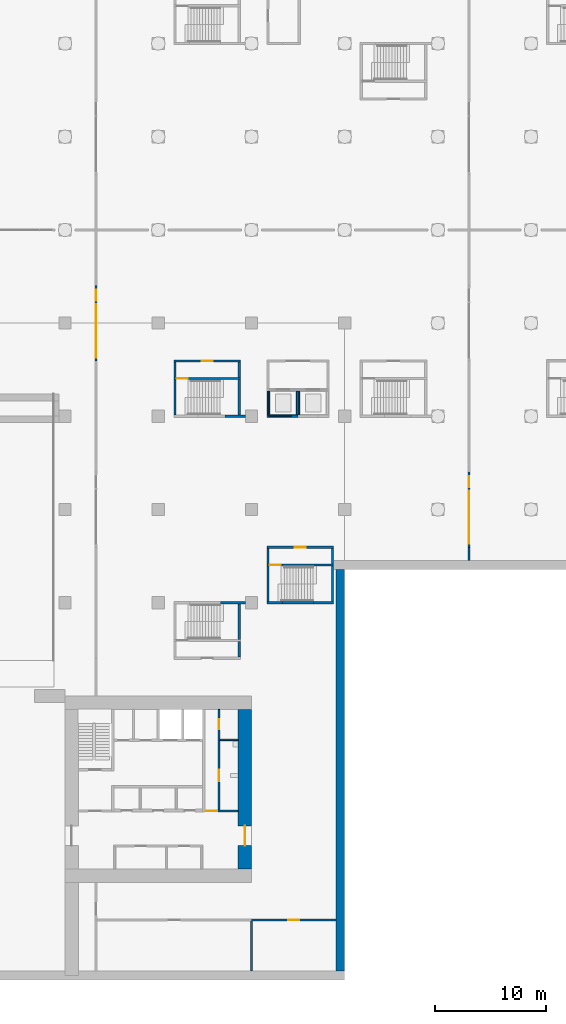
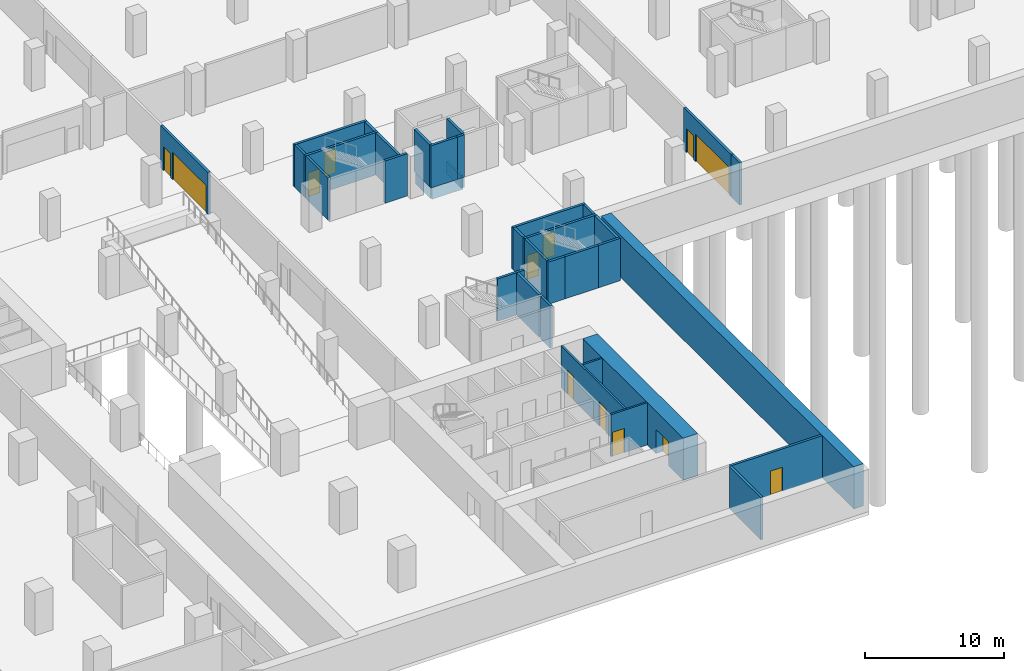
# One storey, part 7 of 19: 37 walls, 13 doors, 13 openings.
"""IFC4 building model written with IfcOpenShell, lengths in metres."""

from ifc_helpers import new_model, si_unit, direction, frame, frame_2d, origin, place, context, subcontext, project, spatial, rectangle, extrude, material, layer, layer_set, type_object, element, fill, save


model = new_model("IFC4")

# Units and contexts
model_context = context("Model", 3, precision=1e-05, world=origin(), true_north=direction((0.0, 1.0)))
body_context = subcontext(model_context, "Body", "Model", "MODEL_VIEW")
ifc_project = project(units=[si_unit("LENGTHUNIT", "METRE"), si_unit("AREAUNIT", "SQUARE_METRE"), si_unit("VOLUMEUNIT", "CUBIC_METRE"), si_unit("PLANEANGLEUNIT", "RADIAN"), si_unit("MASSUNIT", "GRAM", prefix="KILO")], contexts=[model_context])

# Site, building, storey
site_placement = place(None, origin())
site = spatial("IfcSite", under=ifc_project, at=site_placement, CompositionType="ELEMENT")
building_placement = place(site_placement, origin())
building = spatial("IfcBuilding", under=site, at=building_placement, Name="Vermilion Gate Residences", CompositionType="ELEMENT")
storey_placement = place(building_placement, frame((0.0, 0.0, -8.0)))
storey = spatial("IfcBuildingStorey", under=building, at=storey_placement, Name="B2", CompositionType="ELEMENT", Elevation=-8.0)

# Wall, opening, door
ifc_material_1 = material(Name="Masonry blockwork", Category="masonry")
ifc_layer_1 = layer(ifc_material_1, 0.14990234375)
ifc_layer_set_1 = layer_set([ifc_layer_1], Name="BLOCKWORK PARTITION 150 EI 120")
wall_type_1 = type_object("IfcWallType", Name="BLOCKWORK PARTITION 150 EI 120", PredefinedType="PARTITIONING", material=ifc_layer_set_1)
wall_1_placement = place(storey_placement, frame((54.60009765625, 14.824951171875, 0.0), z_axis=(0.0, 0.0, 1.0), x_axis=(1.0, 0.0, 0.0)))
wall_1 = element("IfcWall", 1, at=wall_1_placement, inside=storey, type_object=wall_type_1, Name="Core room partition AB2-ES-S", PredefinedType="PARTITIONING", context=body_context, shape_type="SweptSolid", body=[
    extrude(rectangle(XDim=3.0, YDim=0.14990234375, at=frame_2d((1.5, 0.0))), origin(), (0.0, 0.0, 1.0), 3.699951171875),
])
opening_1_placement = place(wall_1_placement, frame((0.10009765625, 0.0, 0.0)))
opening_1 = element("IfcOpeningElement", 2, at=opening_1_placement, cuts=wall_1, Name="Opening DKB2014", PredefinedType="OPENING", context=body_context, shape_type="SweptSolid", body=[
    extrude(rectangle(XDim=1.0, YDim=2.10009765625, at=frame_2d((0.5, 1.050048828125))), frame((0.0, 0.0849609375, 0.0), z_axis=(0.0, -1.0, 0.0), x_axis=(1.0, 0.0, 0.0)), (0.0, 0.0, 1.0), 0.169921875),
])
ifc_material_2 = material(Name="Steel", Category="steel")
door_type_1 = type_object("IfcDoorType", Name="FIRE DOOR FD60 1000 X 2100", OperationType="SINGLE_SWING_LEFT", PredefinedType="DOOR", material=ifc_material_2)
door_1_placement = place(opening_1_placement, frame((1.0, 0.0, 0.0), z_axis=(0.0, 0.0, 1.0), x_axis=(-1.0, 0.0, 0.0)))
door_1 = element("IfcDoor", 3, at=door_1_placement, inside=storey, type_object=door_type_1, Name="Service corridor door AB2", OperationType="SINGLE_SWING_LEFT", OverallHeight=2.10009765625, OverallWidth=1.0, PredefinedType="DOOR", context=body_context, shape_type="SweptSolid", body=[
    extrude(rectangle(XDim=1.0, YDim=2.10009765625, at=frame_2d((0.5, 1.050048828125))), frame((0.0, 0.02490234375, 0.0), z_axis=(0.0, -1.0, 0.0), x_axis=(1.0, 0.0, 0.0)), (0.0, 0.0, 1.0), 0.050048828125),
])
fill(opening_1, door_1)

# Wall
wall_2_placement = place(storey_placement, frame((55.949951171875, 21.239990234375, 0.0), z_axis=(0.0, 0.0, 1.0), x_axis=(1.0, 0.0, 0.0)))
element("IfcWall", 4, at=wall_2_placement, inside=storey, type_object=wall_type_1, Name="Core room partition AB2-ES-P0", PredefinedType="PARTITIONING", context=body_context, shape_type="SweptSolid", body=[
    extrude(rectangle(XDim=1.650146484375, YDim=0.14990234375, at=frame_2d((0.8251953125, 0.0))), origin(), (0.0, 0.0, 1.0), 3.699951171875),
])

# Wall, openings, doors
wall_3_placement = place(storey_placement, frame((55.875, 14.89990234375, 0.0), z_axis=(0.0, 0.0, 1.0), x_axis=(0.0, 1.0, 0.0)))
wall_3 = element("IfcWall", 5, at=wall_3_placement, inside=storey, type_object=wall_type_1, Name="Core room partition AB2-ES-W", PredefinedType="PARTITIONING", context=body_context, shape_type="SweptSolid", body=[
    extrude(rectangle(XDim=9.10009765625, YDim=0.14990234375, at=frame_2d((4.550048828125, 0.0))), origin(), (0.0, 0.0, 1.0), 3.699951171875),
])
opening_2_placement = place(wall_3_placement, frame((2.632568359375, 0.0, 0.0)))
opening_2 = element("IfcOpeningElement", 6, at=opening_2_placement, cuts=wall_3, Name="Opening DKB2015", PredefinedType="OPENING", context=body_context, shape_type="SweptSolid", body=[
    extrude(rectangle(XDim=1.0, YDim=2.10009765625, at=frame_2d((0.5, 1.050048828125))), frame((0.0, 0.0849609375, 0.0), z_axis=(0.0, -1.0, 0.0), x_axis=(1.0, 0.0, 0.0)), (0.0, 0.0, 1.0), 0.169921875),
])
opening_3_placement = place(wall_3_placement, frame((7.3076171875, 0.0, 0.0)))
opening_3 = element("IfcOpeningElement", 7, at=opening_3_placement, cuts=wall_3, Name="Opening DKB2016", PredefinedType="OPENING", context=body_context, shape_type="SweptSolid", body=[
    extrude(rectangle(XDim=0.89990234375, YDim=2.10009765625, at=frame_2d((0.449951171875, 1.050048828125))), frame((0.0, 0.0849609375, 0.0), z_axis=(0.0, -1.0, 0.0), x_axis=(1.0, 0.0, 0.0)), (0.0, 0.0, 1.0), 0.169921875),
])
door_2_placement = place(opening_2_placement, frame((1.0, 0.0, 0.0), z_axis=(0.0, 0.0, 1.0), x_axis=(-1.0, 0.0, 0.0)))
door_2 = element("IfcDoor", 8, at=door_2_placement, inside=storey, type_object=door_type_1, Name="Accessible WC AB2", OperationType="SINGLE_SWING_RIGHT", OverallHeight=2.10009765625, OverallWidth=1.0, PredefinedType="DOOR", context=body_context, shape_type="SweptSolid", body=[
    extrude(rectangle(XDim=1.0, YDim=2.10009765625, at=frame_2d((0.5, 1.050048828125))), frame((0.0, 0.02490234375, 0.0), z_axis=(0.0, -1.0, 0.0), x_axis=(1.0, 0.0, 0.0)), (0.0, 0.0, 1.0), 0.050048828125),
])
fill(opening_2, door_2)
ifc_material_3 = material(Name="Steel", Category="steel")
door_type_2 = type_object("IfcDoorType", Name="SERVICE ROOM DOOR FD60 900 X 2100", OperationType="SINGLE_SWING_LEFT", PredefinedType="DOOR", material=ifc_material_3)
door_3_placement = place(opening_3_placement, frame((0.89990234375, 0.0, 0.0), z_axis=(0.0, 0.0, 1.0), x_axis=(-1.0, 0.0, 0.0)))
door_3 = element("IfcDoor", 9, at=door_3_placement, inside=storey, type_object=door_type_2, Name="Communications room AB2", OperationType="SINGLE_SWING_LEFT", OverallHeight=2.10009765625, OverallWidth=0.89990234375, PredefinedType="DOOR", context=body_context, shape_type="SweptSolid", body=[
    extrude(rectangle(XDim=0.89990234375, YDim=2.10009765625, at=frame_2d((0.449951171875, 1.050048828125))), frame((0.0, 0.02490234375, 0.0), z_axis=(0.0, -1.0, 0.0), x_axis=(1.0, 0.0, 0.0)), (0.0, 0.0, 1.0), 0.050048828125),
])
fill(opening_3, door_3)

# Wall
ifc_material_4 = material(Name="Concrete blockwork", Category="masonry")
ifc_layer_2 = layer(ifc_material_4, 0.199951171875)
ifc_layer_set_2 = layer_set([ifc_layer_2], Name="FIRE WALL 200 EI 120 (AMENITY)")
wall_type_2 = type_object("IfcWallType", Name="FIRE WALL 200 EI 120 (AMENITY)", PredefinedType="PARTITIONING", material=ifc_layer_set_2)
wall_4_placement = place(storey_placement, frame((58.800048828125, 0.39990234375, 0.0), z_axis=(0.0, 0.0, 1.0), x_axis=(0.0, 1.0, 0.0)))
element("IfcWall", 10, at=wall_4_placement, inside=storey, type_object=wall_type_2, Name="Fire-resisting wall 93", PredefinedType="PARTITIONING", context=body_context, shape_type="SweptSolid", body=[
    extrude(rectangle(XDim=4.5, YDim=0.199951171875, at=frame_2d((2.25, 0.0))), origin(), (0.0, 0.0, 1.0), 3.699951171875),
])

# Wall, opening, door
wall_5_placement = place(storey_placement, frame((58.800048828125, 5.0, 0.0), z_axis=(0.0, 0.0, 1.0), x_axis=(1.0, 0.0, 0.0)))
wall_5 = element("IfcWall", 11, at=wall_5_placement, inside=storey, type_object=wall_type_2, Name="Fire-resisting wall 94", PredefinedType="PARTITIONING", context=body_context, shape_type="SweptSolid", body=[
    extrude(rectangle(XDim=7.599853515625, YDim=0.199951171875, at=frame_2d((3.7998046875, 0.0))), origin(), (0.0, 0.0, 1.0), 3.699951171875),
])
opening_4_placement = place(wall_5_placement, frame((3.300048828125, 0.0, 0.0)))
opening_4 = element("IfcOpeningElement", 12, at=opening_4_placement, cuts=wall_5, Name="Opening DMB2004", PredefinedType="OPENING", context=body_context, shape_type="SweptSolid", body=[
    extrude(rectangle(XDim=1.0, YDim=2.10009765625, at=frame_2d((0.5, 1.050048828125))), frame((0.0, 0.10986328125, 0.0), z_axis=(0.0, -1.0, 0.0), x_axis=(1.0, 0.0, 0.0)), (0.0, 0.0, 1.0), 0.219970703125),
])
ifc_material_5 = material(Name="Steel", Category="steel")
door_type_3 = type_object("IfcDoorType", Name="DOOR 1000 X 2100 FD60 (AMENITY)", OperationType="SINGLE_SWING_LEFT", PredefinedType="DOOR", material=ifc_material_5)
door_4_placement = place(opening_4_placement, origin())
door_4 = element("IfcDoor", 13, at=door_4_placement, inside=storey, type_object=door_type_3, Name="Door B2 4", OperationType="SINGLE_SWING_LEFT", OverallHeight=2.10009765625, OverallWidth=1.0, PredefinedType="DOOR", context=body_context, shape_type="SweptSolid", body=[
    extrude(rectangle(XDim=1.0, YDim=2.10009765625, at=frame_2d((0.5, 1.050048828125))), frame((0.0, 0.02490234375, 0.0), z_axis=(0.0, -1.0, 0.0), x_axis=(1.0, 0.0, 0.0)), (0.0, 0.0, 1.0), 0.050048828125),
])
fill(opening_4, door_4)

# Wall, openings, doors
ifc_material_6 = material(Name="Concrete blockwork", Category="masonry")
ifc_layer_3 = layer(ifc_material_6, 0.199951171875)
ifc_layer_set_3 = layer_set([ifc_layer_3], Name="GARAGE FIRE WALL 200 EI 120 (AMENITY)")
wall_type_3 = type_object("IfcWallType", Name="GARAGE FIRE WALL 200 EI 120 (AMENITY)", PredefinedType="PARTITIONING", material=ifc_layer_set_3)
wall_6_placement = place(storey_placement, frame((44.800048828125, 55.39990234375, 0.0), z_axis=(0.0, 0.0, 1.0), x_axis=(0.0, 1.0, 0.0)))
wall_6 = element("IfcWall", 14, at=wall_6_placement, inside=storey, type_object=wall_type_3, Name="Fire compartment wall", PredefinedType="PARTITIONING", context=body_context, shape_type="SweptSolid", body=[
    extrude(rectangle(XDim=6.800048828125, YDim=0.199951171875, at=frame_2d((3.39990234375, 0.0))), origin(), (0.0, 0.0, 1.0), 3.699951171875),
])
opening_5_placement = place(wall_6_placement, frame((0.300048828125, 0.0, 0.0)))
opening_5 = element("IfcOpeningElement", 15, at=opening_5_placement, cuts=wall_6, Name="Opening DGB2011", PredefinedType="OPENING", context=body_context, shape_type="SweptSolid", body=[
    extrude(rectangle(XDim=4.800048828125, YDim=2.39990234375, at=frame_2d((2.39990234375, 1.199951171875))), frame((0.0, 0.10986328125, 0.0), z_axis=(0.0, -1.0, 0.0), x_axis=(1.0, 0.0, 0.0)), (0.0, 0.0, 1.0), 0.219970703125),
])
opening_6_placement = place(wall_6_placement, frame((5.39990234375, 0.0, 0.0)))
opening_6 = element("IfcOpeningElement", 16, at=opening_6_placement, cuts=wall_6, Name="Opening DGB2012", PredefinedType="OPENING", context=body_context, shape_type="SweptSolid", body=[
    extrude(rectangle(XDim=1.0, YDim=2.10009765625, at=frame_2d((0.5, 1.050048828125))), frame((0.0, 0.10986328125, 0.0), z_axis=(0.0, -1.0, 0.0), x_axis=(1.0, 0.0, 0.0)), (0.0, 0.0, 1.0), 0.219970703125),
])
ifc_material_7 = material(Name="Steel", Category="steel")
door_type_4 = type_object("IfcDoorType", Name="DOOR 1000 X 2100 FD120 (AMENITY)", OperationType="SINGLE_SWING_LEFT", PredefinedType="DOOR", material=ifc_material_7)
door_5_placement = place(opening_6_placement, frame((1.0, 0.0, 0.0), z_axis=(0.0, 0.0, 1.0), x_axis=(-1.0, 0.0, 0.0)))
door_5 = element("IfcDoor", 17, at=door_5_placement, inside=storey, type_object=door_type_4, Name="Fire door", OperationType="SINGLE_SWING_RIGHT", OverallHeight=2.10009765625, OverallWidth=1.0, PredefinedType="DOOR", context=body_context, shape_type="SweptSolid", body=[
    extrude(rectangle(XDim=1.0, YDim=2.10009765625, at=frame_2d((0.5, 1.050048828125))), frame((0.0, 0.02490234375, 0.0), z_axis=(0.0, -1.0, 0.0), x_axis=(1.0, 0.0, 0.0)), (0.0, 0.0, 1.0), 0.050048828125),
])
fill(opening_6, door_5)
ifc_material_8 = material(Name="Steel", Category="steel")
door_type_5 = type_object("IfcDoorType", Name="FIRE SHUTTER 4800 X 2400 (AMENITY)", OperationType="ROLLINGUP", PredefinedType="GATE", material=ifc_material_8)
door_6_placement = place(opening_5_placement, origin())
door_6 = element("IfcDoor", 18, at=door_6_placement, inside=storey, type_object=door_type_5, Name="Fire shutter", OperationType="ROLLINGUP", OverallHeight=2.39990234375, OverallWidth=4.800048828125, PredefinedType="GATE", context=body_context, shape_type="SweptSolid", body=[
    extrude(rectangle(XDim=4.800048828125, YDim=2.39990234375, at=frame_2d((2.39990234375, 1.199951171875))), frame((0.0, 0.02490234375, 0.0), z_axis=(0.0, -1.0, 0.0), x_axis=(1.0, 0.0, 0.0)), (0.0, 0.0, 1.0), 0.050048828125),
])
fill(opening_5, door_6)

# Wall
wall_7_placement = place(storey_placement, frame((78.39990234375, 37.39990234375, 0.0), z_axis=(0.0, 0.0, 1.0), x_axis=(0.0, 1.0, 0.0)))
element("IfcWall", 19, at=wall_7_placement, inside=storey, type_object=wall_type_3, Name="Fire compartment wall", PredefinedType="PARTITIONING", context=body_context, shape_type="SweptSolid", body=[
    extrude(rectangle(XDim=1.2001953125, YDim=0.199951171875, at=frame_2d((0.60009765625, 0.0))), origin(), (0.0, 0.0, 1.0), 3.699951171875),
])

# Wall, openings, doors
wall_8_placement = place(storey_placement, frame((78.39990234375, 38.60009765625, 0.0), z_axis=(0.0, 0.0, 1.0), x_axis=(0.0, 1.0, 0.0)))
wall_8 = element("IfcWall", 20, at=wall_8_placement, inside=storey, type_object=wall_type_3, Name="Fire compartment wall", PredefinedType="PARTITIONING", context=body_context, shape_type="SweptSolid", body=[
    extrude(rectangle(XDim=6.7998046875, YDim=0.199951171875, at=frame_2d((3.39990234375, 0.0))), origin(), (0.0, 0.0, 1.0), 3.699951171875),
])
opening_7_placement = place(wall_8_placement, frame((0.300048828125, 0.0, 0.0)))
opening_7 = element("IfcOpeningElement", 21, at=opening_7_placement, cuts=wall_8, Name="Opening DGB2017", PredefinedType="OPENING", context=body_context, shape_type="SweptSolid", body=[
    extrude(rectangle(XDim=4.800048828125, YDim=2.39990234375, at=frame_2d((2.39990234375, 1.199951171875))), frame((0.0, 0.10986328125, 0.0), z_axis=(0.0, -1.0, 0.0), x_axis=(1.0, 0.0, 0.0)), (0.0, 0.0, 1.0), 0.219970703125),
])
opening_8_placement = place(wall_8_placement, frame((5.39990234375, 0.0, 0.0)))
opening_8 = element("IfcOpeningElement", 22, at=opening_8_placement, cuts=wall_8, Name="Opening DGB2018", PredefinedType="OPENING", context=body_context, shape_type="SweptSolid", body=[
    extrude(rectangle(XDim=1.0, YDim=2.10009765625, at=frame_2d((0.5, 1.050048828125))), frame((0.0, 0.10986328125, 0.0), z_axis=(0.0, -1.0, 0.0), x_axis=(1.0, 0.0, 0.0)), (0.0, 0.0, 1.0), 0.219970703125),
])
door_7_placement = place(opening_8_placement, frame((1.0, 0.0, 0.0), z_axis=(0.0, 0.0, 1.0), x_axis=(-1.0, 0.0, 0.0)))
door_7 = element("IfcDoor", 23, at=door_7_placement, inside=storey, type_object=door_type_4, Name="Fire door", OperationType="SINGLE_SWING_RIGHT", OverallHeight=2.10009765625, OverallWidth=1.0, PredefinedType="DOOR", context=body_context, shape_type="SweptSolid", body=[
    extrude(rectangle(XDim=1.0, YDim=2.10009765625, at=frame_2d((0.5, 1.050048828125))), frame((0.0, 0.02490234375, 0.0), z_axis=(0.0, -1.0, 0.0), x_axis=(1.0, 0.0, 0.0)), (0.0, 0.0, 1.0), 0.050048828125),
])
fill(opening_8, door_7)
door_8_placement = place(opening_7_placement, origin())
door_8 = element("IfcDoor", 24, at=door_8_placement, inside=storey, type_object=door_type_5, Name="Fire shutter", OperationType="ROLLINGUP", OverallHeight=2.39990234375, OverallWidth=4.800048828125, PredefinedType="GATE", context=body_context, shape_type="SweptSolid", body=[
    extrude(rectangle(XDim=4.800048828125, YDim=2.39990234375, at=frame_2d((2.39990234375, 1.199951171875))), frame((0.0, 0.02490234375, 0.0), z_axis=(0.0, -1.0, 0.0), x_axis=(1.0, 0.0, 0.0)), (0.0, 0.0, 1.0), 0.050048828125),
])
fill(opening_7, door_8)

# Walls
ifc_material_9 = material(Name="Concrete C40", Category="concrete")
ifc_layer_4 = layer(ifc_material_9, 0.14990234375)
ifc_layer_set_4 = layer_set([ifc_layer_4], Name="LIFT PIT WALL 150 (AMENITY)")
wall_type_4 = type_object("IfcWallType", Name="LIFT PIT WALL 150 (AMENITY)", PredefinedType="SOLIDWALL", material=ifc_layer_set_4)
wall_9_placement = place(storey_placement, frame((60.375, 50.47509765625, -1.10009765625), z_axis=(0.0, 0.0, 1.0), x_axis=(1.0, 0.0, 0.0)))
element("IfcWall", 25, at=wall_9_placement, inside=storey, type_object=wall_type_4, Name="Lift pit wall G1.1", PredefinedType="SOLIDWALL", context=body_context, shape_type="SweptSolid", body=[
    extrude(rectangle(XDim=2.550048828125, YDim=0.14990234375, at=frame_2d((1.27490234375, 0.0))), origin(), (0.0, 0.0, 1.0), 1.10009765625),
])
for number, where, z_axis, x_axis, name in (
    (26, (60.375, 50.550048828125, -1.10009765625), (0.0, 0.0, 1.0), (0.0, 1.0, 0.0), "Lift pit wall G1.1"),
    (27, (62.925048828125, 50.550048828125, -1.10009765625), (0.0, 0.0, 1.0), (0.0, 1.0, 0.0), "Lift pit wall G1.1"),
    (28, (63.074951171875, 50.550048828125, -1.10009765625), (0.0, 0.0, 1.0), (0.0, 1.0, 0.0), "Lift pit wall G1.2"),
):
    element("IfcWall", number, at=place(storey_placement, frame(where, z_axis=z_axis, x_axis=x_axis)), inside=storey, type_object=wall_type_4, Name=name, PredefinedType="SOLIDWALL", context=body_context, shape_type="SweptSolid", body=[
        extrude(rectangle(XDim=2.099853515625, YDim=0.14990234375, at=frame_2d((1.0498046875, 0.0))), origin(), (0.0, 0.0, 1.0), 1.10009765625),
    ])

# Wall, opening, door
ifc_material_10 = material(Name="Concrete C80", Category="concrete")
ifc_layer_5 = layer(ifc_material_10, 1.199951171875)
ifc_layer_set_5 = layer_set([ifc_layer_5], Name="RC CORE WALL 1200 C80")
wall_type_5 = type_object("IfcWallType", Name="RC CORE WALL 1200 C80", PredefinedType="SHEAR", material=ifc_layer_set_5)
wall_10_placement = place(storey_placement, frame((58.199951171875, 9.60009765625, 0.0), z_axis=(0.0, 0.0, 1.0), x_axis=(0.0, 1.0, 0.0)))
wall_10 = element("IfcWall", 29, at=wall_10_placement, inside=storey, type_object=wall_type_5, Name="Core wall AB2-OUT-BK", PredefinedType="SHEAR", context=body_context, shape_type="SweptSolid", body=[
    extrude(rectangle(XDim=14.39990234375, YDim=1.199951171875, at=frame_2d((7.199951171875, 0.0))), origin(), (0.0, 0.0, 1.0), 3.699951171875),
])
opening_9_placement = place(wall_10_placement, frame((2.10009765625, 0.0, 0.0)))
opening_9 = element("IfcOpeningElement", 30, at=opening_9_placement, cuts=wall_10, Name="Opening DKB2002", PredefinedType="OPENING", context=body_context, shape_type="SweptSolid", body=[
    extrude(rectangle(XDim=1.800048828125, YDim=2.10009765625, at=frame_2d((0.89990234375, 1.050048828125))), frame((0.0, 0.60986328125, 0.0), z_axis=(0.0, -1.0, 0.0), x_axis=(1.0, 0.0, 0.0)), (0.0, 0.0, 1.0), 1.219970703125),
])
ifc_material_11 = material(Name="Steel", Category="steel")
door_type_6 = type_object("IfcDoorType", Name="CORE LOBBY DOOR FD60 1800 X 2100", OperationType="DOUBLE_DOOR_SINGLE_SWING", PredefinedType="DOOR", material=ifc_material_11)
door_9_placement = place(opening_9_placement, origin())
door_9 = element("IfcDoor", 31, at=door_9_placement, inside=storey, type_object=door_type_6, Name="Core lobby door AB2", OperationType="DOUBLE_DOOR_SINGLE_SWING", OverallHeight=2.10009765625, OverallWidth=1.800048828125, PredefinedType="DOOR", context=body_context, shape_type="SweptSolid", body=[
    extrude(rectangle(XDim=1.800048828125, YDim=2.10009765625, at=frame_2d((0.89990234375, 1.050048828125))), frame((0.0, 0.02490234375, 0.0), z_axis=(0.0, -1.0, 0.0), x_axis=(1.0, 0.0, 0.0)), (0.0, 0.0, 1.0), 0.050048828125),
])
fill(opening_9, door_9)

# Walls
ifc_material_12 = material(Name="Concrete C40", Category="concrete")
ifc_layer_6 = layer(ifc_material_12, 0.800048828125)
ifc_layer_set_6 = layer_set([ifc_layer_6], Name="RC DIAPHRAGM WALL 800 C40")
wall_type_6 = type_object("IfcWallType", Name="RC DIAPHRAGM WALL 800 C40", PredefinedType="SOLIDWALL", material=ifc_layer_set_6)
wall_11_placement = place(storey_placement, frame((66.800048828125, 0.39990234375, 0.0), z_axis=(0.0, 0.0, 1.0), x_axis=(0.0, 1.0, 0.0)))
element("IfcWall", 32, at=wall_11_placement, inside=storey, type_object=wall_type_6, Name="Diaphragm wall B2 4", PredefinedType="SOLIDWALL", context=body_context, shape_type="SweptSolid", body=[
    extrude(rectangle(XDim=36.2001953125, YDim=0.800048828125, at=frame_2d((18.10009765625, 0.0))), origin(), (0.0, 0.0, 1.0), 3.699951171875),
])
ifc_material_13 = material(Name="Concrete C40", Category="concrete")
ifc_layer_7 = layer(ifc_material_13, 0.199951171875)
ifc_layer_set_7 = layer_set([ifc_layer_7], Name="RC STAIR AND SHAFT WALL 200 EI 180 C40 (AMENITY)")
wall_type_7 = type_object("IfcWallType", Name="RC STAIR AND SHAFT WALL 200 EI 180 C40 (AMENITY)", PredefinedType="SOLIDWALL", material=ifc_layer_set_7)
wall_12_placement = place(storey_placement, frame((51.89990234375, 50.5, 0.0), z_axis=(0.0, 0.0, 1.0), x_axis=(0.0, 1.0, 0.0)))
element("IfcWall", 33, at=wall_12_placement, inside=storey, type_object=wall_type_7, Name="Stair and shaft wall 71", PredefinedType="SOLIDWALL", context=body_context, shape_type="SweptSolid", body=[
    extrude(rectangle(XDim=3.199951171875, YDim=0.199951171875, at=frame_2d((1.60009765625, 0.0))), origin(), (0.0, 0.0, 1.0), 3.699951171875),
])
wall_13_placement = place(storey_placement, frame((51.89990234375, 53.89990234375, 0.0), z_axis=(0.0, 0.0, 1.0), x_axis=(0.0, 1.0, 0.0)))
element("IfcWall", 34, at=wall_13_placement, inside=storey, type_object=wall_type_7, Name="Stair and shaft wall 73", PredefinedType="SOLIDWALL", context=body_context, shape_type="SweptSolid", body=[
    extrude(rectangle(XDim=1.400146484375, YDim=0.199951171875, at=frame_2d((0.7001953125, 0.0))), origin(), (0.0, 0.0, 1.0), 3.699951171875),
])

# Wall, opening, door
wall_14_placement = place(storey_placement, frame((51.800048828125, 53.800048828125, 0.0), z_axis=(0.0, 0.0, 1.0), x_axis=(1.0, 0.0, 0.0)))
wall_14 = element("IfcWall", 35, at=wall_14_placement, inside=storey, type_object=wall_type_7, Name="Stair and shaft wall 74", PredefinedType="SOLIDWALL", context=body_context, shape_type="SweptSolid", body=[
    extrude(rectangle(XDim=6.0, YDim=0.199951171875, at=frame_2d((3.0, 0.0))), origin(), (0.0, 0.0, 1.0), 3.699951171875),
])
opening_10_placement = place(wall_14_placement, frame((0.25, 0.0, 0.0)))
opening_10 = element("IfcOpeningElement", 36, at=opening_10_placement, cuts=wall_14, Name="Opening DMB2034", PredefinedType="OPENING", context=body_context, shape_type="SweptSolid", body=[
    extrude(rectangle(XDim=1.0, YDim=2.10009765625, at=frame_2d((0.5, 1.050048828125))), frame((0.0, 0.10986328125, 0.0), z_axis=(0.0, -1.0, 0.0), x_axis=(1.0, 0.0, 0.0)), (0.0, 0.0, 1.0), 0.219970703125),
])
door_10_placement = place(opening_10_placement, frame((1.0, 0.0, 0.0), z_axis=(0.0, 0.0, 1.0), x_axis=(-1.0, 0.0, 0.0)))
door_10 = element("IfcDoor", 37, at=door_10_placement, inside=storey, type_object=door_type_3, Name="Door B2 34", OperationType="SINGLE_SWING_RIGHT", OverallHeight=2.10009765625, OverallWidth=1.0, PredefinedType="DOOR", context=body_context, shape_type="SweptSolid", body=[
    extrude(rectangle(XDim=1.0, YDim=2.10009765625, at=frame_2d((0.5, 1.050048828125))), frame((0.0, 0.02490234375, 0.0), z_axis=(0.0, -1.0, 0.0), x_axis=(1.0, 0.0, 0.0)), (0.0, 0.0, 1.0), 0.050048828125),
])
fill(opening_10, door_10)

wall_15_placement = place(storey_placement, frame((51.800048828125, 55.39990234375, 0.0), z_axis=(0.0, 0.0, 1.0), x_axis=(1.0, 0.0, 0.0)))
wall_15 = element("IfcWall", 38, at=wall_15_placement, inside=storey, type_object=wall_type_7, Name="Stair and shaft wall 75", PredefinedType="SOLIDWALL", context=body_context, shape_type="SweptSolid", body=[
    extrude(rectangle(XDim=6.0, YDim=0.199951171875, at=frame_2d((3.0, 0.0))), origin(), (0.0, 0.0, 1.0), 3.699951171875),
])
opening_11_placement = place(wall_15_placement, frame((2.5, 0.0, 0.0)))
opening_11 = element("IfcOpeningElement", 39, at=opening_11_placement, cuts=wall_15, Name="Opening DMB2033", PredefinedType="OPENING", context=body_context, shape_type="SweptSolid", body=[
    extrude(rectangle(XDim=1.0, YDim=2.10009765625, at=frame_2d((0.5, 1.050048828125))), frame((0.0, 0.10986328125, 0.0), z_axis=(0.0, -1.0, 0.0), x_axis=(1.0, 0.0, 0.0)), (0.0, 0.0, 1.0), 0.219970703125),
])
door_11_placement = place(opening_11_placement, origin())
door_11 = element("IfcDoor", 40, at=door_11_placement, inside=storey, type_object=door_type_3, Name="Door B2 33", OperationType="SINGLE_SWING_LEFT", OverallHeight=2.10009765625, OverallWidth=1.0, PredefinedType="DOOR", context=body_context, shape_type="SweptSolid", body=[
    extrude(rectangle(XDim=1.0, YDim=2.10009765625, at=frame_2d((0.5, 1.050048828125))), frame((0.0, 0.02490234375, 0.0), z_axis=(0.0, -1.0, 0.0), x_axis=(1.0, 0.0, 0.0)), (0.0, 0.0, 1.0), 0.050048828125),
])
fill(opening_11, door_11)

# Walls
wall_16_placement = place(storey_placement, frame((56.0, 33.60009765625, 0.0), z_axis=(0.0, 0.0, 1.0), x_axis=(1.0, 0.0, 0.0)))
element("IfcWall", 41, at=wall_16_placement, inside=storey, type_object=wall_type_7, Name="Stair and shaft wall 84", PredefinedType="SOLIDWALL", context=body_context, shape_type="SweptSolid", body=[
    extrude(rectangle(XDim=2.25, YDim=0.199951171875, at=frame_2d((1.125, 0.0))), origin(), (0.0, 0.0, 1.0), 3.699951171875),
])
wall_17_placement = place(storey_placement, frame((56.39990234375, 50.39990234375, 0.0), z_axis=(0.0, 0.0, 1.0), x_axis=(1.0, 0.0, 0.0)))
element("IfcWall", 42, at=wall_17_placement, inside=storey, type_object=wall_type_7, Name="Stair and shaft wall 86", PredefinedType="SOLIDWALL", context=body_context, shape_type="SweptSolid", body=[
    extrude(rectangle(XDim=1.85009765625, YDim=0.199951171875, at=frame_2d((0.925048828125, 0.0))), origin(), (0.0, 0.0, 1.0), 3.699951171875),
])
wall_18_placement = place(storey_placement, frame((57.699951171875, 28.699951171875, 0.0), z_axis=(0.0, 0.0, 1.0), x_axis=(0.0, 1.0, 0.0)))
element("IfcWall", 43, at=wall_18_placement, inside=storey, type_object=wall_type_7, Name="Stair and shaft wall 87", PredefinedType="SOLIDWALL", context=body_context, shape_type="SweptSolid", body=[
    extrude(rectangle(XDim=1.400146484375, YDim=0.199951171875, at=frame_2d((0.7001953125, 0.0))), origin(), (0.0, 0.0, 1.0), 3.699951171875),
])
for number, where, z_axis, x_axis, name in (
    (44, (57.699951171875, 30.300048828125, 0.0), (0.0, 0.0, 1.0), (0.0, 1.0, 0.0), "Stair and shaft wall 88"),
    (45, (57.699951171875, 50.5, 0.0), (0.0, 0.0, 1.0), (0.0, 1.0, 0.0), "Stair and shaft wall 89"),
):
    element("IfcWall", number, at=place(storey_placement, frame(where, z_axis=z_axis, x_axis=x_axis)), inside=storey, type_object=wall_type_7, Name=name, PredefinedType="SOLIDWALL", context=body_context, shape_type="SweptSolid", body=[
        extrude(rectangle(XDim=3.199951171875, YDim=0.199951171875, at=frame_2d((1.60009765625, 0.0))), origin(), (0.0, 0.0, 1.0), 3.699951171875),
    ])
wall_19_placement = place(storey_placement, frame((57.699951171875, 53.89990234375, 0.0), z_axis=(0.0, 0.0, 1.0), x_axis=(0.0, 1.0, 0.0)))
element("IfcWall", 46, at=wall_19_placement, inside=storey, type_object=wall_type_7, Name="Stair and shaft wall 90", PredefinedType="SOLIDWALL", context=body_context, shape_type="SweptSolid", body=[
    extrude(rectangle(XDim=1.400146484375, YDim=0.199951171875, at=frame_2d((0.7001953125, 0.0))), origin(), (0.0, 0.0, 1.0), 3.699951171875),
])
wall_20_placement = place(storey_placement, frame((60.300048828125, 33.699951171875, 0.0), z_axis=(0.0, 0.0, 1.0), x_axis=(0.0, 1.0, 0.0)))
element("IfcWall", 47, at=wall_20_placement, inside=storey, type_object=wall_type_7, Name="Stair and shaft wall 95", PredefinedType="SOLIDWALL", context=body_context, shape_type="SweptSolid", body=[
    extrude(rectangle(XDim=3.199951171875, YDim=0.199951171875, at=frame_2d((1.60009765625, 0.0))), origin(), (0.0, 0.0, 1.0), 3.699951171875),
])
wall_21_placement = place(storey_placement, frame((60.199951171875, 33.60009765625, 0.0), z_axis=(0.0, 0.0, 1.0), x_axis=(1.0, 0.0, 0.0)))
element("IfcWall", 48, at=wall_21_placement, inside=storey, type_object=wall_type_7, Name="Stair and shaft wall 96", PredefinedType="SOLIDWALL", context=body_context, shape_type="SweptSolid", body=[
    extrude(rectangle(XDim=1.400146484375, YDim=0.199951171875, at=frame_2d((0.7001953125, 0.0))), origin(), (0.0, 0.0, 1.0), 3.699951171875),
])
wall_22_placement = place(storey_placement, frame((60.300048828125, 37.10009765625, 0.0), z_axis=(0.0, 0.0, 1.0), x_axis=(0.0, 1.0, 0.0)))
element("IfcWall", 49, at=wall_22_placement, inside=storey, type_object=wall_type_7, Name="Stair and shaft wall 97", PredefinedType="SOLIDWALL", context=body_context, shape_type="SweptSolid", body=[
    extrude(rectangle(XDim=1.39990234375, YDim=0.199951171875, at=frame_2d((0.699951171875, 0.0))), origin(), (0.0, 0.0, 1.0), 3.699951171875),
])

# Wall, opening, door
wall_23_placement = place(storey_placement, frame((60.199951171875, 37.0, 0.0), z_axis=(0.0, 0.0, 1.0), x_axis=(1.0, 0.0, 0.0)))
wall_23 = element("IfcWall", 50, at=wall_23_placement, inside=storey, type_object=wall_type_7, Name="Stair and shaft wall 98", PredefinedType="SOLIDWALL", context=body_context, shape_type="SweptSolid", body=[
    extrude(rectangle(XDim=6.0, YDim=0.199951171875, at=frame_2d((3.0, 0.0))), origin(), (0.0, 0.0, 1.0), 3.699951171875),
])
opening_12_placement = place(wall_23_placement, frame((0.25, 0.0, 0.0)))
opening_12 = element("IfcOpeningElement", 51, at=opening_12_placement, cuts=wall_23, Name="Opening DMB2036", PredefinedType="OPENING", context=body_context, shape_type="SweptSolid", body=[
    extrude(rectangle(XDim=1.0, YDim=2.10009765625, at=frame_2d((0.5, 1.050048828125))), frame((0.0, 0.10986328125, 0.0), z_axis=(0.0, -1.0, 0.0), x_axis=(1.0, 0.0, 0.0)), (0.0, 0.0, 1.0), 0.219970703125),
])
door_12_placement = place(opening_12_placement, frame((1.0, 0.0, 0.0), z_axis=(0.0, 0.0, 1.0), x_axis=(-1.0, 0.0, 0.0)))
door_12 = element("IfcDoor", 52, at=door_12_placement, inside=storey, type_object=door_type_3, Name="Door B2 36", OperationType="SINGLE_SWING_LEFT", OverallHeight=2.10009765625, OverallWidth=1.0, PredefinedType="DOOR", context=body_context, shape_type="SweptSolid", body=[
    extrude(rectangle(XDim=1.0, YDim=2.10009765625, at=frame_2d((0.5, 1.050048828125))), frame((0.0, 0.02490234375, 0.0), z_axis=(0.0, -1.0, 0.0), x_axis=(1.0, 0.0, 0.0)), (0.0, 0.0, 1.0), 0.050048828125),
])
fill(opening_12, door_12)

wall_24_placement = place(storey_placement, frame((60.199951171875, 38.60009765625, 0.0), z_axis=(0.0, 0.0, 1.0), x_axis=(1.0, 0.0, 0.0)))
wall_24 = element("IfcWall", 53, at=wall_24_placement, inside=storey, type_object=wall_type_7, Name="Stair and shaft wall 99", PredefinedType="SOLIDWALL", context=body_context, shape_type="SweptSolid", body=[
    extrude(rectangle(XDim=6.0, YDim=0.199951171875, at=frame_2d((3.0, 0.0))), origin(), (0.0, 0.0, 1.0), 3.699951171875),
])
opening_13_placement = place(wall_24_placement, frame((2.5, 0.0, 0.0)))
opening_13 = element("IfcOpeningElement", 54, at=opening_13_placement, cuts=wall_24, Name="Opening DMB2035", PredefinedType="OPENING", context=body_context, shape_type="SweptSolid", body=[
    extrude(rectangle(XDim=1.0, YDim=2.10009765625, at=frame_2d((0.5, 1.050048828125))), frame((0.0, 0.10986328125, 0.0), z_axis=(0.0, -1.0, 0.0), x_axis=(1.0, 0.0, 0.0)), (0.0, 0.0, 1.0), 0.219970703125),
])
door_13_placement = place(opening_13_placement, origin())
door_13 = element("IfcDoor", 55, at=door_13_placement, inside=storey, type_object=door_type_3, Name="Door B2 35", OperationType="SINGLE_SWING_LEFT", OverallHeight=2.10009765625, OverallWidth=1.0, PredefinedType="DOOR", context=body_context, shape_type="SweptSolid", body=[
    extrude(rectangle(XDim=1.0, YDim=2.10009765625, at=frame_2d((0.5, 1.050048828125))), frame((0.0, 0.02490234375, 0.0), z_axis=(0.0, -1.0, 0.0), x_axis=(1.0, 0.0, 0.0)), (0.0, 0.0, 1.0), 0.050048828125),
])
fill(opening_13, door_13)

# Walls
for number, where, z_axis, x_axis, name in (
    (56, (60.300048828125, 50.5, 0.0), (0.0, 0.0, 1.0), (0.0, 1.0, 0.0), "Stair and shaft wall 100"),
    (57, (60.199951171875, 50.39990234375, 0.0), (0.0, 0.0, 1.0), (1.0, 0.0, 0.0), "Stair and shaft wall 101"),
):
    element("IfcWall", number, at=place(storey_placement, frame(where, z_axis=z_axis, x_axis=x_axis)), inside=storey, type_object=wall_type_7, Name=name, PredefinedType="SOLIDWALL", context=body_context, shape_type="SweptSolid", body=[
        extrude(rectangle(XDim=2.199951171875, YDim=0.199951171875, at=frame_2d((1.10009765625, 0.0))), origin(), (0.0, 0.0, 1.0), 3.699951171875),
    ])
wall_25_placement = place(storey_placement, frame((61.60009765625, 33.60009765625, 0.0), z_axis=(0.0, 0.0, 1.0), x_axis=(1.0, 0.0, 0.0)))
element("IfcWall", 58, at=wall_25_placement, inside=storey, type_object=wall_type_7, Name="Stair and shaft wall 108", PredefinedType="SOLIDWALL", context=body_context, shape_type="SweptSolid", body=[
    extrude(rectangle(XDim=2.7998046875, YDim=0.199951171875, at=frame_2d((1.39990234375, 0.0))), origin(), (0.0, 0.0, 1.0), 3.699951171875),
])
wall_26_placement = place(storey_placement, frame((62.39990234375, 50.39990234375, 0.0), z_axis=(0.0, 0.0, 1.0), x_axis=(1.0, 0.0, 0.0)))
element("IfcWall", 59, at=wall_26_placement, inside=storey, type_object=wall_type_7, Name="Stair and shaft wall 110", PredefinedType="SOLIDWALL", context=body_context, shape_type="SweptSolid", body=[
    extrude(rectangle(XDim=0.60009765625, YDim=0.199951171875, at=frame_2d((0.300048828125, 0.0))), origin(), (0.0, 0.0, 1.0), 3.699951171875),
])
wall_27_placement = place(storey_placement, frame((63.0, 50.5, 0.0), z_axis=(0.0, 0.0, 1.0), x_axis=(0.0, 1.0, 0.0)))
element("IfcWall", 60, at=wall_27_placement, inside=storey, type_object=wall_type_7, Name="Stair and shaft wall 111", PredefinedType="SOLIDWALL", context=body_context, shape_type="SweptSolid", body=[
    extrude(rectangle(XDim=2.199951171875, YDim=0.199951171875, at=frame_2d((1.10009765625, 0.0))), origin(), (0.0, 0.0, 1.0), 3.699951171875),
])
wall_28_placement = place(storey_placement, frame((64.39990234375, 33.60009765625, 0.0), z_axis=(0.0, 0.0, 1.0), x_axis=(1.0, 0.0, 0.0)))
element("IfcWall", 61, at=wall_28_placement, inside=storey, type_object=wall_type_7, Name="Stair and shaft wall 115", PredefinedType="SOLIDWALL", context=body_context, shape_type="SweptSolid", body=[
    extrude(rectangle(XDim=1.800048828125, YDim=0.199951171875, at=frame_2d((0.89990234375, 0.0))), origin(), (0.0, 0.0, 1.0), 3.699951171875),
])
wall_29_placement = place(storey_placement, frame((66.10009765625, 33.699951171875, 0.0), z_axis=(0.0, 0.0, 1.0), x_axis=(0.0, 1.0, 0.0)))
element("IfcWall", 62, at=wall_29_placement, inside=storey, type_object=wall_type_7, Name="Stair and shaft wall 119", PredefinedType="SOLIDWALL", context=body_context, shape_type="SweptSolid", body=[
    extrude(rectangle(XDim=3.199951171875, YDim=0.199951171875, at=frame_2d((1.60009765625, 0.0))), origin(), (0.0, 0.0, 1.0), 3.699951171875),
])
wall_30_placement = place(storey_placement, frame((66.10009765625, 37.10009765625, 0.0), z_axis=(0.0, 0.0, 1.0), x_axis=(0.0, 1.0, 0.0)))
element("IfcWall", 63, at=wall_30_placement, inside=storey, type_object=wall_type_7, Name="Stair and shaft wall 120", PredefinedType="SOLIDWALL", context=body_context, shape_type="SweptSolid", body=[
    extrude(rectangle(XDim=1.39990234375, YDim=0.199951171875, at=frame_2d((0.699951171875, 0.0))), origin(), (0.0, 0.0, 1.0), 3.699951171875),
])

save(model, "model.ifc")
